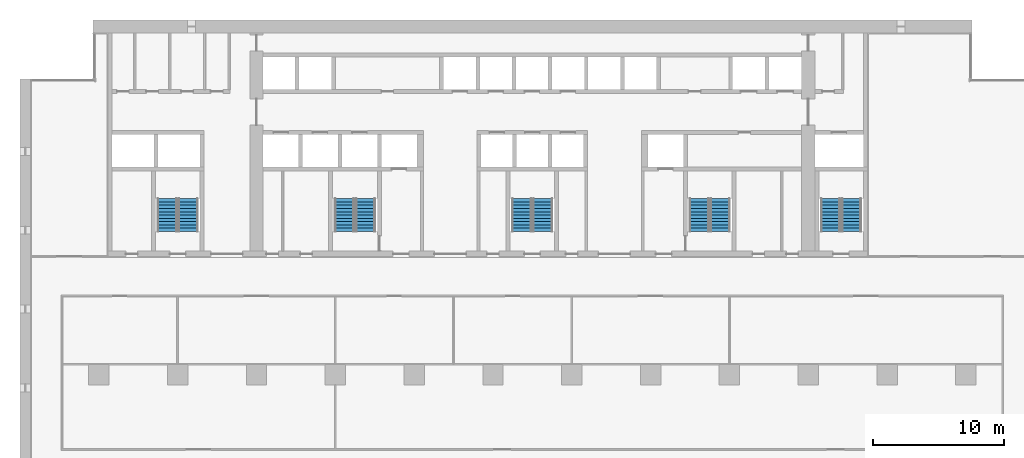
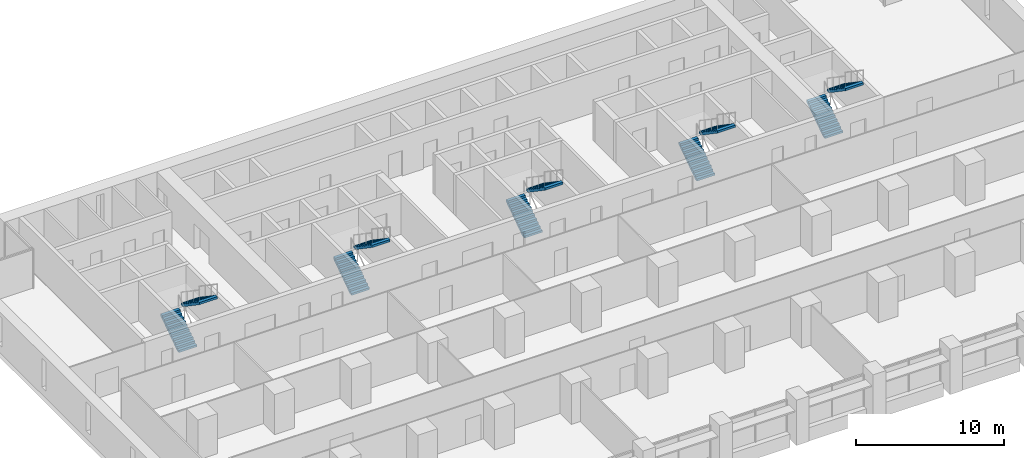
# One storey, part 14 of 17: 10 stair flights, 5 elements without a shape of their own.
"""IFC4 building model written with IfcOpenShell, lengths in metres."""

from ifc_helpers import new_model, si_unit, direction, frame, origin, place, context, subcontext, project, spatial, polyline, outline, extrude, material, type_object, element, aggregate, save


model = new_model("IFC4")

# Units and contexts
model_context = context("Model", 3, precision=1e-05, world=origin(), true_north=direction((0.0, 1.0)))
body_context = subcontext(model_context, "Body", "Model", "MODEL_VIEW")
ifc_project = project(units=[si_unit("LENGTHUNIT", "METRE"), si_unit("AREAUNIT", "SQUARE_METRE"), si_unit("VOLUMEUNIT", "CUBIC_METRE"), si_unit("PLANEANGLEUNIT", "RADIAN"), si_unit("MASSUNIT", "GRAM", prefix="KILO")], contexts=[model_context])

# Site, building, storey
site_placement = place(None, origin())
site = spatial("IfcSite", under=ifc_project, at=site_placement, CompositionType="ELEMENT")
building_placement = place(site_placement, origin())
building = spatial("IfcBuilding", under=site, at=building_placement, Name="Calvaro Tower", CompositionType="ELEMENT")
storey_placement = place(building_placement, frame((0.0, 0.0, 75.0)))
storey = spatial("IfcBuildingStorey", under=building, at=storey_placement, Name="L18", CompositionType="ELEMENT", Elevation=75.0)

# Stair, stair flights
ifc_material_1 = material(Name="Concrete C40/50", Category="concrete")
stair_type = type_object("IfcStairType", Name="Exit stair 1400 2 flights", PredefinedType="HALF_TURN_STAIR", material=ifc_material_1)
stair_1_placement = place(storey_placement, origin())
stair_1 = element("IfcStair", 1, at=stair_1_placement, inside=storey, type_object=stair_type, Name="Exit stair S1", PredefinedType="HALF_TURN_STAIR")
ifc_material_2 = material(Name="Concrete C40/50", Category="concrete")
stair_flight_type = type_object("IfcStairFlightType", Name="Stair flight", PredefinedType="STRAIGHT", material=ifc_material_2)
stair_flight_1_placement = place(storey_placement, frame((11.199951171875, 29.89990234375, 0.0), z_axis=(0.0, 0.0, 1.0), x_axis=(0.0, 1.0, 0.0)))
stair_flight_1 = element("IfcStairFlight", 2, at=stair_flight_1_placement, type_object=stair_flight_type, Name="Exit stair 1, flight 1", NumberOfRisers=11, NumberOfTreads=10, PredefinedType="STRAIGHT", RiserHeight=0.170454545, TreadLength=0.25, context=body_context, shape_type="SweptSolid", body=[
    extrude(outline(polyline([(0.0, 0.0), (0.0, 0.17041015625), (0.25, 0.17041015625), (0.25, 0.3408203125), (0.5, 0.3408203125), (0.5, 0.511474609375), (0.75, 0.511474609375), (0.75, 0.681884765625), (1.0, 0.681884765625), (1.0, 0.852294921875), (1.25, 0.852294921875), (1.25, 1.022705078125), (1.5, 1.022705078125), (1.5, 1.193115234375), (1.75, 1.193115234375), (1.75, 1.363525390625), (2.0, 1.363525390625), (2.0, 1.5341796875), (2.25, 1.5341796875), (2.25, 1.70458984375), (2.5, 1.70458984375), (2.5, 1.875), (2.5, 1.523193359375), (0.26611328125, 0.0), (0.0, 0.0)])), frame((0.0, 0.699951171875, 0.0), z_axis=(0.0, -1.0, 0.0), x_axis=(1.0, 0.0, 0.0)), (0.0, 0.0, 1.0), 1.39990234375),
])
stair_flight_2_placement = place(storey_placement, frame((12.800048828125, 32.39990234375, 1.875), z_axis=(0.0, 0.0, 1.0), x_axis=(0.0, -1.0, 0.0)))
stair_flight_2 = element("IfcStairFlight", 3, at=stair_flight_2_placement, type_object=stair_flight_type, Name="Exit stair 1, flight 2", NumberOfRisers=11, NumberOfTreads=10, PredefinedType="STRAIGHT", RiserHeight=0.170454545, TreadLength=0.25, context=body_context, shape_type="SweptSolid", body=[
    extrude(outline(polyline([(0.0, 0.0), (0.0, 0.17041015625), (0.25, 0.17041015625), (0.25, 0.3408203125), (0.5, 0.3408203125), (0.5, 0.511474609375), (0.75, 0.511474609375), (0.75, 0.681884765625), (1.0, 0.681884765625), (1.0, 0.852294921875), (1.25, 0.852294921875), (1.25, 1.022705078125), (1.5, 1.022705078125), (1.5, 1.193115234375), (1.75, 1.193115234375), (1.75, 1.363525390625), (2.0, 1.363525390625), (2.0, 1.5341796875), (2.25, 1.5341796875), (2.25, 1.70458984375), (2.5, 1.70458984375), (2.5, 1.875), (2.5, 1.523193359375), (0.26611328125, 0.0), (0.0, 0.0)])), frame((0.0, 0.699951171875, 0.0), z_axis=(0.0, -1.0, 0.0), x_axis=(1.0, 0.0, 0.0)), (0.0, 0.0, 1.0), 1.39990234375),
])
aggregate(stair_1, [stair_flight_1, stair_flight_2])

stair_2_placement = place(storey_placement, origin())
stair_2 = element("IfcStair", 4, at=stair_2_placement, inside=storey, type_object=stair_type, Name="Exit stair S2", PredefinedType="HALF_TURN_STAIR")
stair_flight_3_placement = place(storey_placement, frame((24.699951171875, 29.89990234375, 0.0), z_axis=(0.0, 0.0, 1.0), x_axis=(0.0, 1.0, 0.0)))
stair_flight_3 = element("IfcStairFlight", 5, at=stair_flight_3_placement, type_object=stair_flight_type, Name="Exit stair 2, flight 1", NumberOfRisers=11, NumberOfTreads=10, PredefinedType="STRAIGHT", RiserHeight=0.170454545, TreadLength=0.25, context=body_context, shape_type="SweptSolid", body=[
    extrude(outline(polyline([(0.0, 0.0), (0.0, 0.17041015625), (0.25, 0.17041015625), (0.25, 0.3408203125), (0.5, 0.3408203125), (0.5, 0.511474609375), (0.75, 0.511474609375), (0.75, 0.681884765625), (1.0, 0.681884765625), (1.0, 0.852294921875), (1.25, 0.852294921875), (1.25, 1.022705078125), (1.5, 1.022705078125), (1.5, 1.193115234375), (1.75, 1.193115234375), (1.75, 1.363525390625), (2.0, 1.363525390625), (2.0, 1.5341796875), (2.25, 1.5341796875), (2.25, 1.70458984375), (2.5, 1.70458984375), (2.5, 1.875), (2.5, 1.523193359375), (0.26611328125, 0.0), (0.0, 0.0)])), frame((0.0, 0.699951171875, 0.0), z_axis=(0.0, -1.0, 0.0), x_axis=(1.0, 0.0, 0.0)), (0.0, 0.0, 1.0), 1.39990234375),
])
stair_flight_4_placement = place(storey_placement, frame((26.300048828125, 32.39990234375, 1.875), z_axis=(0.0, 0.0, 1.0), x_axis=(0.0, -1.0, 0.0)))
stair_flight_4 = element("IfcStairFlight", 6, at=stair_flight_4_placement, type_object=stair_flight_type, Name="Exit stair 2, flight 2", NumberOfRisers=11, NumberOfTreads=10, PredefinedType="STRAIGHT", RiserHeight=0.170454545, TreadLength=0.25, context=body_context, shape_type="SweptSolid", body=[
    extrude(outline(polyline([(0.0, 0.0), (0.0, 0.17041015625), (0.25, 0.17041015625), (0.25, 0.3408203125), (0.5, 0.3408203125), (0.5, 0.511474609375), (0.75, 0.511474609375), (0.75, 0.681884765625), (1.0, 0.681884765625), (1.0, 0.852294921875), (1.25, 0.852294921875), (1.25, 1.022705078125), (1.5, 1.022705078125), (1.5, 1.193115234375), (1.75, 1.193115234375), (1.75, 1.363525390625), (2.0, 1.363525390625), (2.0, 1.5341796875), (2.25, 1.5341796875), (2.25, 1.70458984375), (2.5, 1.70458984375), (2.5, 1.875), (2.5, 1.523193359375), (0.26611328125, 0.0), (0.0, 0.0)])), frame((0.0, 0.699951171875, 0.0), z_axis=(0.0, -1.0, 0.0), x_axis=(1.0, 0.0, 0.0)), (0.0, 0.0, 1.0), 1.39990234375),
])
aggregate(stair_2, [stair_flight_3, stair_flight_4])

stair_3_placement = place(storey_placement, origin())
stair_3 = element("IfcStair", 7, at=stair_3_placement, inside=storey, type_object=stair_type, Name="Exit stair S3", PredefinedType="HALF_TURN_STAIR")
stair_flight_5_placement = place(storey_placement, frame((38.199951171875, 29.89990234375, 0.0), z_axis=(0.0, 0.0, 1.0), x_axis=(0.0, 1.0, 0.0)))
stair_flight_5 = element("IfcStairFlight", 8, at=stair_flight_5_placement, type_object=stair_flight_type, Name="Exit stair 3, flight 1", NumberOfRisers=11, NumberOfTreads=10, PredefinedType="STRAIGHT", RiserHeight=0.170454545, TreadLength=0.25, context=body_context, shape_type="SweptSolid", body=[
    extrude(outline(polyline([(0.0, 0.0), (0.0, 0.17041015625), (0.25, 0.17041015625), (0.25, 0.3408203125), (0.5, 0.3408203125), (0.5, 0.511474609375), (0.75, 0.511474609375), (0.75, 0.681884765625), (1.0, 0.681884765625), (1.0, 0.852294921875), (1.25, 0.852294921875), (1.25, 1.022705078125), (1.5, 1.022705078125), (1.5, 1.193115234375), (1.75, 1.193115234375), (1.75, 1.363525390625), (2.0, 1.363525390625), (2.0, 1.5341796875), (2.25, 1.5341796875), (2.25, 1.70458984375), (2.5, 1.70458984375), (2.5, 1.875), (2.5, 1.523193359375), (0.26611328125, 0.0), (0.0, 0.0)])), frame((0.0, 0.699951171875, 0.0), z_axis=(0.0, -1.0, 0.0), x_axis=(1.0, 0.0, 0.0)), (0.0, 0.0, 1.0), 1.39990234375),
])
stair_flight_6_placement = place(storey_placement, frame((39.800048828125, 32.39990234375, 1.875), z_axis=(0.0, 0.0, 1.0), x_axis=(0.0, -1.0, 0.0)))
stair_flight_6 = element("IfcStairFlight", 9, at=stair_flight_6_placement, type_object=stair_flight_type, Name="Exit stair 3, flight 2", NumberOfRisers=11, NumberOfTreads=10, PredefinedType="STRAIGHT", RiserHeight=0.170454545, TreadLength=0.25, context=body_context, shape_type="SweptSolid", body=[
    extrude(outline(polyline([(0.0, 0.0), (0.0, 0.17041015625), (0.25, 0.17041015625), (0.25, 0.3408203125), (0.5, 0.3408203125), (0.5, 0.511474609375), (0.75, 0.511474609375), (0.75, 0.681884765625), (1.0, 0.681884765625), (1.0, 0.852294921875), (1.25, 0.852294921875), (1.25, 1.022705078125), (1.5, 1.022705078125), (1.5, 1.193115234375), (1.75, 1.193115234375), (1.75, 1.363525390625), (2.0, 1.363525390625), (2.0, 1.5341796875), (2.25, 1.5341796875), (2.25, 1.70458984375), (2.5, 1.70458984375), (2.5, 1.875), (2.5, 1.523193359375), (0.26611328125, 0.0), (0.0, 0.0)])), frame((0.0, 0.699951171875, 0.0), z_axis=(0.0, -1.0, 0.0), x_axis=(1.0, 0.0, 0.0)), (0.0, 0.0, 1.0), 1.39990234375),
])
aggregate(stair_3, [stair_flight_5, stair_flight_6])

stair_4_placement = place(storey_placement, origin())
stair_4 = element("IfcStair", 10, at=stair_4_placement, inside=storey, type_object=stair_type, Name="Exit stair S4", PredefinedType="HALF_TURN_STAIR")
stair_flight_7_placement = place(storey_placement, frame((51.699951171875, 29.89990234375, 0.0), z_axis=(0.0, 0.0, 1.0), x_axis=(0.0, 1.0, 0.0)))
stair_flight_7 = element("IfcStairFlight", 11, at=stair_flight_7_placement, type_object=stair_flight_type, Name="Exit stair 4, flight 1", NumberOfRisers=11, NumberOfTreads=10, PredefinedType="STRAIGHT", RiserHeight=0.170454545, TreadLength=0.25, context=body_context, shape_type="SweptSolid", body=[
    extrude(outline(polyline([(0.0, 0.0), (0.0, 0.17041015625), (0.25, 0.17041015625), (0.25, 0.3408203125), (0.5, 0.3408203125), (0.5, 0.511474609375), (0.75, 0.511474609375), (0.75, 0.681884765625), (1.0, 0.681884765625), (1.0, 0.852294921875), (1.25, 0.852294921875), (1.25, 1.022705078125), (1.5, 1.022705078125), (1.5, 1.193115234375), (1.75, 1.193115234375), (1.75, 1.363525390625), (2.0, 1.363525390625), (2.0, 1.5341796875), (2.25, 1.5341796875), (2.25, 1.70458984375), (2.5, 1.70458984375), (2.5, 1.875), (2.5, 1.523193359375), (0.26611328125, 0.0), (0.0, 0.0)])), frame((0.0, 0.699951171875, 0.0), z_axis=(0.0, -1.0, 0.0), x_axis=(1.0, 0.0, 0.0)), (0.0, 0.0, 1.0), 1.39990234375),
])
stair_flight_8_placement = place(storey_placement, frame((53.300048828125, 32.39990234375, 1.875), z_axis=(0.0, 0.0, 1.0), x_axis=(0.0, -1.0, 0.0)))
stair_flight_8 = element("IfcStairFlight", 12, at=stair_flight_8_placement, type_object=stair_flight_type, Name="Exit stair 4, flight 2", NumberOfRisers=11, NumberOfTreads=10, PredefinedType="STRAIGHT", RiserHeight=0.170454545, TreadLength=0.25, context=body_context, shape_type="SweptSolid", body=[
    extrude(outline(polyline([(0.0, 0.0), (0.0, 0.17041015625), (0.25, 0.17041015625), (0.25, 0.3408203125), (0.5, 0.3408203125), (0.5, 0.511474609375), (0.75, 0.511474609375), (0.75, 0.681884765625), (1.0, 0.681884765625), (1.0, 0.852294921875), (1.25, 0.852294921875), (1.25, 1.022705078125), (1.5, 1.022705078125), (1.5, 1.193115234375), (1.75, 1.193115234375), (1.75, 1.363525390625), (2.0, 1.363525390625), (2.0, 1.5341796875), (2.25, 1.5341796875), (2.25, 1.70458984375), (2.5, 1.70458984375), (2.5, 1.875), (2.5, 1.523193359375), (0.26611328125, 0.0), (0.0, 0.0)])), frame((0.0, 0.699951171875, 0.0), z_axis=(0.0, -1.0, 0.0), x_axis=(1.0, 0.0, 0.0)), (0.0, 0.0, 1.0), 1.39990234375),
])
aggregate(stair_4, [stair_flight_7, stair_flight_8])

stair_5_placement = place(storey_placement, origin())
stair_5 = element("IfcStair", 13, at=stair_5_placement, inside=storey, type_object=stair_type, Name="Exit stair S5", PredefinedType="HALF_TURN_STAIR")
stair_flight_9_placement = place(storey_placement, frame((61.699951171875, 29.89990234375, 0.0), z_axis=(0.0, 0.0, 1.0), x_axis=(0.0, 1.0, 0.0)))
stair_flight_9 = element("IfcStairFlight", 14, at=stair_flight_9_placement, type_object=stair_flight_type, Name="Exit stair 5, flight 1", NumberOfRisers=11, NumberOfTreads=10, PredefinedType="STRAIGHT", RiserHeight=0.170454545, TreadLength=0.25, context=body_context, shape_type="SweptSolid", body=[
    extrude(outline(polyline([(0.0, 0.0), (0.0, 0.17041015625), (0.25, 0.17041015625), (0.25, 0.3408203125), (0.5, 0.3408203125), (0.5, 0.511474609375), (0.75, 0.511474609375), (0.75, 0.681884765625), (1.0, 0.681884765625), (1.0, 0.852294921875), (1.25, 0.852294921875), (1.25, 1.022705078125), (1.5, 1.022705078125), (1.5, 1.193115234375), (1.75, 1.193115234375), (1.75, 1.363525390625), (2.0, 1.363525390625), (2.0, 1.5341796875), (2.25, 1.5341796875), (2.25, 1.70458984375), (2.5, 1.70458984375), (2.5, 1.875), (2.5, 1.523193359375), (0.26611328125, 0.0), (0.0, 0.0)])), frame((0.0, 0.699951171875, 0.0), z_axis=(0.0, -1.0, 0.0), x_axis=(1.0, 0.0, 0.0)), (0.0, 0.0, 1.0), 1.39990234375),
])
stair_flight_10_placement = place(storey_placement, frame((63.300048828125, 32.39990234375, 1.875), z_axis=(0.0, 0.0, 1.0), x_axis=(0.0, -1.0, 0.0)))
stair_flight_10 = element("IfcStairFlight", 15, at=stair_flight_10_placement, type_object=stair_flight_type, Name="Exit stair 5, flight 2", NumberOfRisers=11, NumberOfTreads=10, PredefinedType="STRAIGHT", RiserHeight=0.170454545, TreadLength=0.25, context=body_context, shape_type="SweptSolid", body=[
    extrude(outline(polyline([(0.0, 0.0), (0.0, 0.17041015625), (0.25, 0.17041015625), (0.25, 0.3408203125), (0.5, 0.3408203125), (0.5, 0.511474609375), (0.75, 0.511474609375), (0.75, 0.681884765625), (1.0, 0.681884765625), (1.0, 0.852294921875), (1.25, 0.852294921875), (1.25, 1.022705078125), (1.5, 1.022705078125), (1.5, 1.193115234375), (1.75, 1.193115234375), (1.75, 1.363525390625), (2.0, 1.363525390625), (2.0, 1.5341796875), (2.25, 1.5341796875), (2.25, 1.70458984375), (2.5, 1.70458984375), (2.5, 1.875), (2.5, 1.523193359375), (0.26611328125, 0.0), (0.0, 0.0)])), frame((0.0, 0.699951171875, 0.0), z_axis=(0.0, -1.0, 0.0), x_axis=(1.0, 0.0, 0.0)), (0.0, 0.0, 1.0), 1.39990234375),
])
aggregate(stair_5, [stair_flight_9, stair_flight_10])

save(model, "model.ifc")
